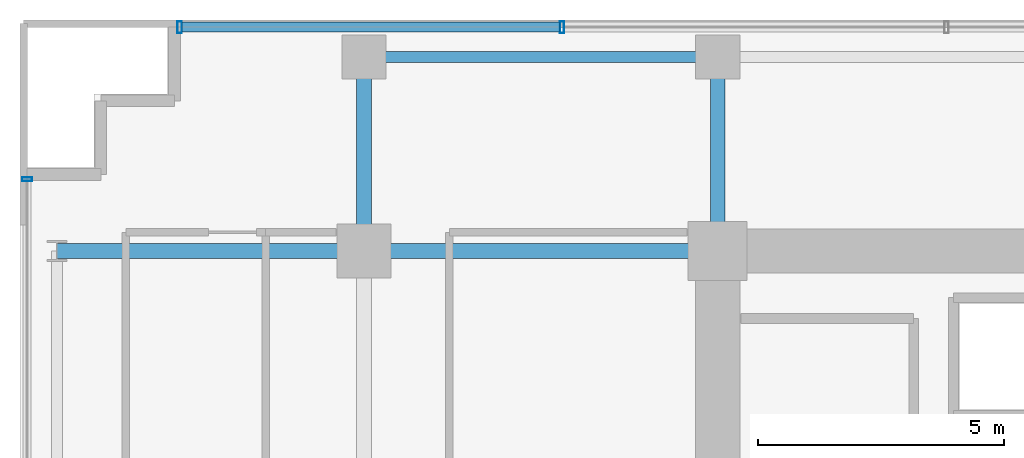
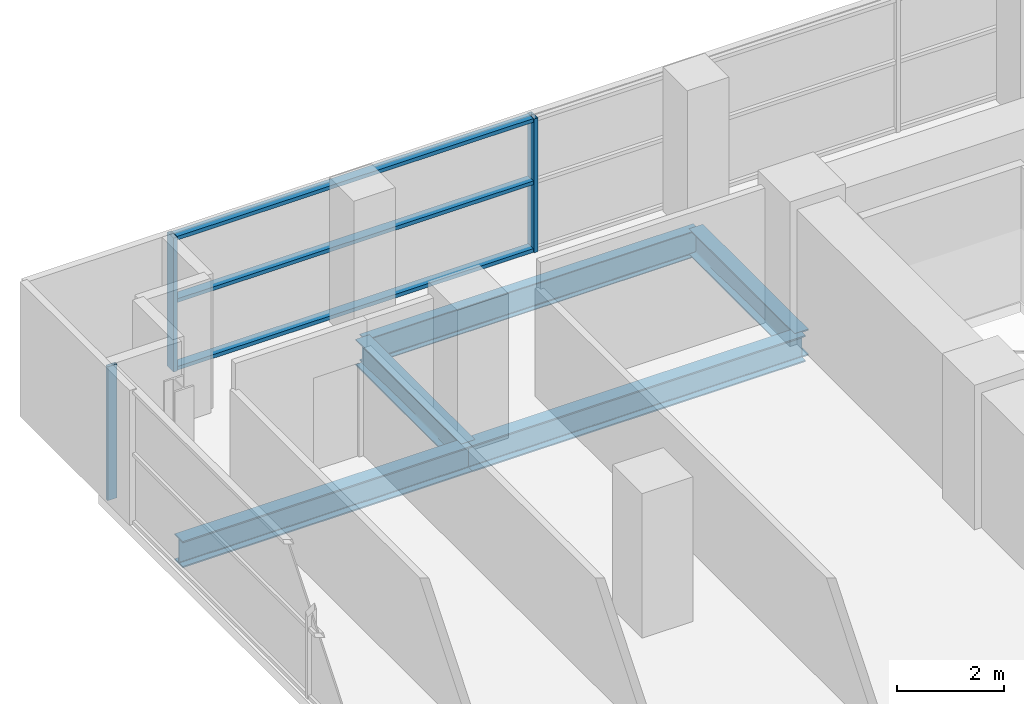
# One storey, part 13 of 26: 6 members, 5 beams, 2 elements without a shape of their own.
"""IFC4 building model written with IfcOpenShell, lengths in metres."""

from ifc_helpers import new_model, si_unit, direction, frame, origin, origin_2d, place, context, subcontext, project, spatial, hollow_rectangle, i_section, extrude, source, transform, mapped, material, layer, layer_set, material_profile, profile_set, type_object, element, aggregate, save


model = new_model("IFC4")

# Units and contexts
model_context = context("Model", 3, precision=1e-05, world=origin(), true_north=direction((0.0, 1.0)))
body_context = subcontext(model_context, "Body", "Model", "MODEL_VIEW")
ifc_project = project(units=[si_unit("LENGTHUNIT", "METRE"), si_unit("AREAUNIT", "SQUARE_METRE"), si_unit("VOLUMEUNIT", "CUBIC_METRE"), si_unit("PLANEANGLEUNIT", "RADIAN"), si_unit("MASSUNIT", "GRAM", prefix="KILO")], contexts=[model_context])

# Site, building, storey
site_placement = place(None, origin())
site = spatial("IfcSite", under=ifc_project, at=site_placement, CompositionType="ELEMENT")
building_placement = place(site_placement, origin())
building = spatial("IfcBuilding", under=site, at=building_placement, Name="Zarnakvel Exchange Tower", CompositionType="ELEMENT")
storey_placement = place(building_placement, frame((0.0, 0.0, 70.300048828125)))
storey = spatial("IfcBuildingStorey", under=building, at=storey_placement, Name="L19", CompositionType="ELEMENT", Elevation=70.300048828125)

# Beams
ifc_material_1 = material(Name="Steel S355", Category="steel")
ifc_material_profile_1 = material_profile(ifc_material_1, i_section(OverallWidth=0.300048828125, OverallDepth=0.60009765625, WebThickness=0.015380859375, FlangeThickness=0.030029296875, FilletRadius=0.027099609375, at=origin_2d()))
ifc_profile_set_1 = profile_set([ifc_material_profile_1], Name="Steel S355")
beam_type_1 = type_object("IfcBeamType", Name="G-04", PredefinedType="BEAM", material=ifc_profile_set_1)
beam_1_placement = place(storey_placement, frame((-27.85009765625, 13.5, -0.525146484375), z_axis=(1.0, 0.0, 0.0), x_axis=(0.0, 1.0, 0.0)))
element("IfcBeam", 1, at=beam_1_placement, inside=storey, type_object=beam_type_1, Name="L19 Tower E-W Frame Beam", PredefinedType="BEAM", context=body_context, shape_type="SweptSolid", body=[
    extrude(i_section(OverallWidth=0.300048828125, OverallDepth=0.60009765625, WebThickness=0.015380859375, FlangeThickness=0.030029296875, FilletRadius=0.027099609375, at=origin_2d()), origin(), (0.0, 0.0, 1.0), 6.25),
])
beam_2_placement = place(storey_placement, frame((-21.60009765625, 13.5, -0.525146484375), z_axis=(1.0, 0.0, 0.0), x_axis=(0.0, 1.0, 0.0)))
element("IfcBeam", 2, at=beam_2_placement, inside=storey, type_object=beam_type_1, Name="L19 Tower E-W Frame Beam", PredefinedType="BEAM", context=body_context, shape_type="SweptSolid", body=[
    extrude(i_section(OverallWidth=0.300048828125, OverallDepth=0.60009765625, WebThickness=0.015380859375, FlangeThickness=0.030029296875, FilletRadius=0.027099609375, at=origin_2d()), origin(), (0.0, 0.0, 1.0), 7.2001953125),
])
for number, where, z_axis, x_axis, name in (
    (3, (-21.60009765625, 13.5, -0.525146484375), (0.0, 1.0, 0.0), (-1.0, 0.0, 0.0), "L19 Tower N-S Frame Beam"),
    (4, (-14.39990234375, 13.5, -0.525146484375), (0.0, 1.0, 0.0), (-1.0, 0.0, 0.0), "L19 Tower N-S Frame Beam"),
):
    element("IfcBeam", number, at=place(storey_placement, frame(where, z_axis=z_axis, x_axis=x_axis)), inside=storey, type_object=beam_type_1, Name=name, PredefinedType="BEAM", context=body_context, shape_type="SweptSolid", body=[
        extrude(i_section(OverallWidth=0.300048828125, OverallDepth=0.60009765625, WebThickness=0.015380859375, FlangeThickness=0.030029296875, FilletRadius=0.027099609375, at=origin_2d()), origin(), (0.0, 0.0, 1.0), 3.949951171875),
    ])
ifc_material_profile_2 = material_profile(ifc_material_1, i_section(OverallWidth=0.219970703125, OverallDepth=0.60009765625, WebThickness=0.011962890625, FlangeThickness=0.01904296875, FilletRadius=0.02392578125, at=origin_2d()))
ifc_profile_set_2 = profile_set([ifc_material_profile_2], Name="Steel S355")
beam_type_2 = type_object("IfcBeamType", Name="SP-01", PredefinedType="SPANDREL", material=ifc_profile_set_2)
beam_3_placement = place(storey_placement, frame((-21.60009765625, 17.449951171875, -0.525146484375), z_axis=(1.0, 0.0, 0.0), x_axis=(0.0, 1.0, 0.0)))
element("IfcBeam", 5, at=beam_3_placement, inside=storey, type_object=beam_type_2, Name="L19 Tower E-W Frame Beam", PredefinedType="SPANDREL", context=body_context, shape_type="SweptSolid", body=[
    extrude(i_section(OverallWidth=0.219970703125, OverallDepth=0.60009765625, WebThickness=0.011962890625, FlangeThickness=0.01904296875, FilletRadius=0.02392578125, at=origin_2d()), origin(), (0.0, 0.0, 1.0), 7.2001953125),
])

# Curtain wall, members
ifc_material_2 = material(Name="Architectural Bronze Anodised Aluminium", Category="aluminium")
ifc_layer_1 = layer(ifc_material_2, 0.239990234375)
ifc_layer_set_1 = layer_set([ifc_layer_1], Name="Architectural Bronze Anodised Aluminium")
curtain_wall_type_1 = type_object("IfcCurtainWallType", Name="CW-02", PredefinedType="NOTDEFINED", material=ifc_layer_set_1)
curtain_wall_1_placement = place(storey_placement, origin())
curtain_wall_1 = element("IfcCurtainWall", 6, at=curtain_wall_1_placement, inside=storey, type_object=curtain_wall_type_1, Name="L19 Curtain Wall CW-L19-N1 (CW-02)", PredefinedType="NOTDEFINED")
ifc_material_profile_3 = material_profile(ifc_material_2, hollow_rectangle(XDim=0.199951171875, YDim=0.0849609375, WallThickness=0.0048828125, at=origin_2d()))
ifc_profile_set_3 = profile_set([ifc_material_profile_3], Name="Architectural Bronze Anodised Aluminium")
member_type_1 = type_object("IfcMemberType", Name="CWT-02", PredefinedType="USERDEFINED", material=ifc_profile_set_3)
shared_shape_1 = source(origin(), body_context, "Body", "SweptSolid", [
    extrude(hollow_rectangle(XDim=0.199951171875, YDim=0.0849609375, WallThickness=0.0048828125, at=origin_2d()), origin(), (0.0, 0.0, 1.0), 7.693603515625),
])
member_1_placement = place(storey_placement, frame((-25.31005859375, 18.06005859375, 0.04248046875), z_axis=(1.0, 0.0, 0.0), x_axis=(0.0, 1.0, 0.0)))
member_1 = element("IfcMember", 7, at=member_1_placement, type_object=member_type_1, Name="CW-02 transom 1.1", ObjectType="TRANSOM", PredefinedType="USERDEFINED", context=body_context, shape_type="MappedRepresentation", body=[
    mapped(shared_shape_1, transform((0.0, 0.0, 0.0), x_axis=(1.0, 0.0, 0.0), y_axis=(0.0, 1.0, 0.0), z_axis=(0.0, 0.0, 1.0), scale=1.0)),
])
member_2_placement = place(storey_placement, frame((-25.31005859375, 18.06005859375, 1.588623046875), z_axis=(1.0, 0.0, 0.0), x_axis=(0.0, 1.0, 0.0)))
member_2 = element("IfcMember", 8, at=member_2_placement, type_object=member_type_1, Name="CW-02 transom 1.2", ObjectType="TRANSOM", PredefinedType="USERDEFINED", context=body_context, shape_type="MappedRepresentation", body=[
    mapped(shared_shape_1, transform((0.0, 0.0, 0.0), x_axis=(1.0, 0.0, 0.0), y_axis=(0.0, 1.0, 0.0), z_axis=(0.0, 0.0, 1.0), scale=1.0)),
])
member_3_placement = place(storey_placement, frame((-25.31005859375, 18.06005859375, 3.012451171875), z_axis=(1.0, 0.0, 0.0), x_axis=(0.0, 1.0, 0.0)))
member_3 = element("IfcMember", 9, at=member_3_placement, type_object=member_type_1, Name="CW-02 transom 1.3", ObjectType="TRANSOM", PredefinedType="USERDEFINED", context=body_context, shape_type="MappedRepresentation", body=[
    mapped(shared_shape_1, transform((0.0, 0.0, 0.0), x_axis=(1.0, 0.0, 0.0), y_axis=(0.0, 1.0, 0.0), z_axis=(0.0, 0.0, 1.0), scale=1.0)),
])
ifc_material_profile_4 = material_profile(ifc_material_2, hollow_rectangle(XDim=0.239990234375, YDim=0.090087890625, WallThickness=0.006103515625, at=origin_2d()))
ifc_profile_set_4 = profile_set([ifc_material_profile_4], Name="Architectural Bronze Anodised Aluminium")
member_type_2 = type_object("IfcMemberType", Name="CWM-02", PredefinedType="MULLION", material=ifc_profile_set_4)
shared_shape_2 = source(origin(), body_context, "Body", "SweptSolid", [
    extrude(hollow_rectangle(XDim=0.239990234375, YDim=0.090087890625, WallThickness=0.006103515625, at=origin_2d()), origin(), (0.0, 0.0, 1.0), 3.054931640625),
])
member_4_placement = place(storey_placement, frame((-25.35498046875, 18.06005859375, 0.0), z_axis=(0.0, 0.0, 1.0), x_axis=(0.0, 1.0, 0.0)))
member_4 = element("IfcMember", 10, at=member_4_placement, type_object=member_type_2, Name="CW-02 mullion 1", PredefinedType="MULLION", context=body_context, shape_type="MappedRepresentation", body=[
    mapped(shared_shape_2, transform((0.0, 0.0, 0.0), x_axis=(1.0, 0.0, 0.0), y_axis=(0.0, 1.0, 0.0), z_axis=(0.0, 0.0, 1.0), scale=1.0)),
])
member_5_placement = place(storey_placement, frame((-17.571533203125, 18.06005859375, 0.0), z_axis=(0.0, 0.0, 1.0), x_axis=(0.0, 1.0, 0.0)))
member_5 = element("IfcMember", 11, at=member_5_placement, type_object=member_type_2, Name="CW-02 mullion 2", PredefinedType="MULLION", context=body_context, shape_type="MappedRepresentation", body=[
    mapped(shared_shape_2, transform((0.0, 0.0, 0.0), x_axis=(1.0, 0.0, 0.0), y_axis=(0.0, 1.0, 0.0), z_axis=(0.0, 0.0, 1.0), scale=1.0)),
])
aggregate(curtain_wall_1, [member_4, member_5, member_1, member_2, member_3])

# Curtain wall, member
ifc_layer_2 = layer(ifc_material_2, 0.199951171875)
ifc_layer_set_2 = layer_set([ifc_layer_2], Name="Architectural Bronze Anodised Aluminium")
curtain_wall_type_2 = type_object("IfcCurtainWallType", Name="CW-04", PredefinedType="NOTDEFINED", material=ifc_layer_set_2)
curtain_wall_2_placement = place(storey_placement, origin())
curtain_wall_2 = element("IfcCurtainWall", 12, at=curtain_wall_2_placement, inside=storey, type_object=curtain_wall_type_2, Name="L19 Curtain Wall CW-L19-W1 (CW-04)", PredefinedType="NOTDEFINED")
ifc_material_profile_5 = material_profile(ifc_material_2, hollow_rectangle(XDim=0.199951171875, YDim=0.074951171875, WallThickness=0.0048828125, at=origin_2d()))
ifc_profile_set_5 = profile_set([ifc_material_profile_5], Name="Architectural Bronze Anodised Aluminium")
member_type_3 = type_object("IfcMemberType", Name="CWM-04", PredefinedType="MULLION", material=ifc_profile_set_5)
shared_shape_3 = source(origin(), body_context, "Body", "SweptSolid", [
    extrude(hollow_rectangle(XDim=0.199951171875, YDim=0.074951171875, WallThickness=0.0048828125, at=origin_2d()), origin(), (0.0, 0.0, 1.0), 3.054931640625),
])
member_6_placement = place(storey_placement, frame((-28.4599609375, 14.96240234375, 0.0), z_axis=(0.0, 0.0, 1.0), x_axis=(-1.0, 0.0, 0.0)))
member_6 = element("IfcMember", 13, at=member_6_placement, type_object=member_type_3, Name="CW-04 mullion 5", PredefinedType="MULLION", context=body_context, shape_type="MappedRepresentation", body=[
    mapped(shared_shape_3, transform((0.0, 0.0, 0.0), x_axis=(1.0, 0.0, 0.0), y_axis=(0.0, 1.0, 0.0), z_axis=(0.0, 0.0, 1.0), scale=1.0)),
])
aggregate(curtain_wall_2, [member_6])

save(model, "model.ifc")
